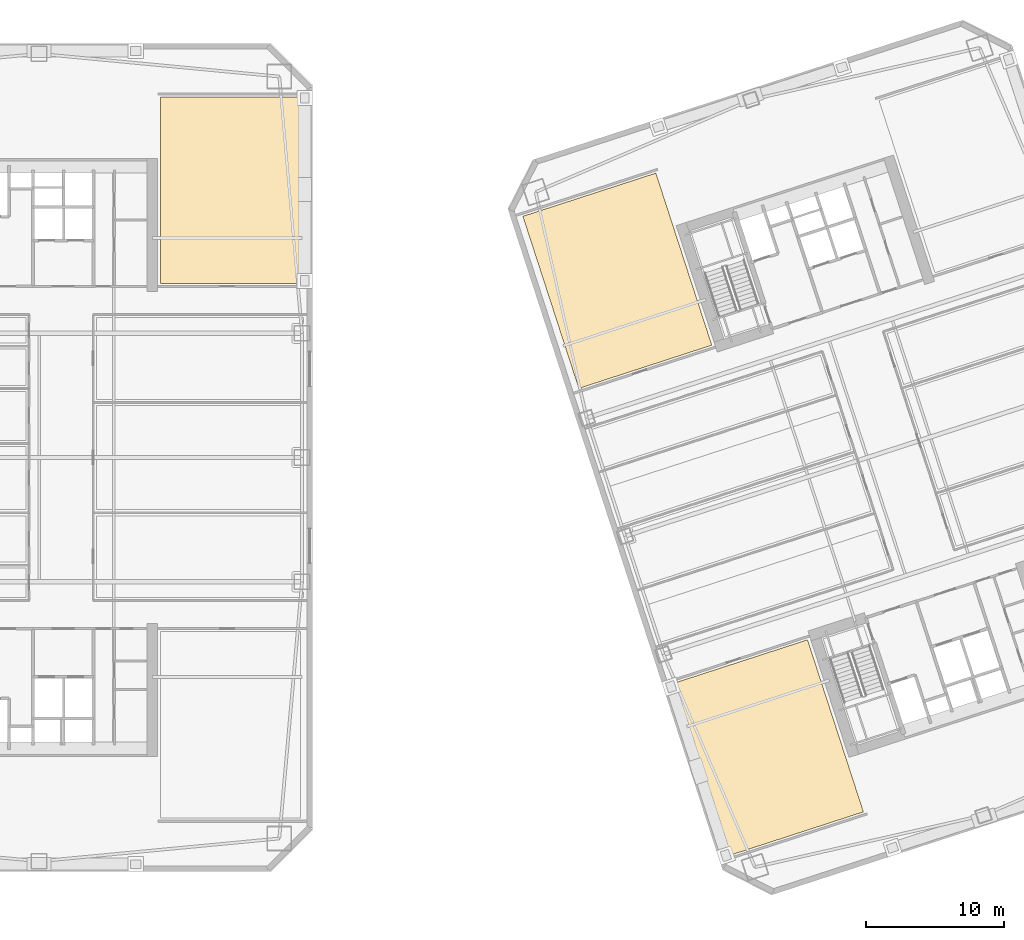
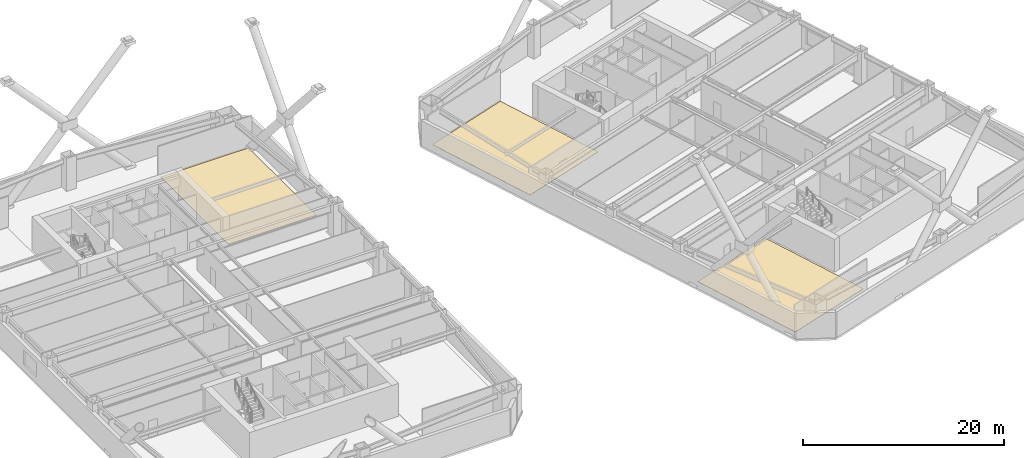
# One storey, part 14 of 18: 3 coverings.
"""IFC4 building model written with IfcOpenShell, lengths in metres."""

from ifc_helpers import new_model, si_unit, direction, frame, origin, place, context, subcontext, project, spatial, polyline, outline, extrude, material, layer, layer_set, type_object, element, save


model = new_model("IFC4")

# Units and contexts
model_context = context("Model", 3, precision=1e-05, world=origin(), true_north=direction((0.0, 1.0)))
body_context = subcontext(model_context, "Body", "Model", "MODEL_VIEW")
ifc_project = project(units=[si_unit("LENGTHUNIT", "METRE"), si_unit("AREAUNIT", "SQUARE_METRE"), si_unit("VOLUMEUNIT", "CUBIC_METRE"), si_unit("PLANEANGLEUNIT", "RADIAN"), si_unit("MASSUNIT", "GRAM", prefix="KILO")], contexts=[model_context])

# Site, building, storey
site_placement = place(None, origin())
site = spatial("IfcSite", under=ifc_project, at=site_placement, CompositionType="ELEMENT")
building_placement = place(site_placement, origin())
building = spatial("IfcBuilding", under=site, at=building_placement, Name="Qiaolan Cultural Towers", CompositionType="ELEMENT")
storey_placement = place(building_placement, frame((0.0, 0.0, 42.0)))
storey = spatial("IfcBuildingStorey", under=building, at=storey_placement, Name="L09", CompositionType="ELEMENT", Elevation=42.0)

# Coverings
ifc_material = material(Name="Honed Terrazzo & Raised Access Flooring", Category="concrete")
ifc_layer = layer(ifc_material, 0.0400390625)
ifc_layer_set = layer_set([ifc_layer], Name="Honed Terrazzo & Raised Access Flooring")
covering_type = type_object("IfcCoveringType", Name="COV-FLR-STONE", PredefinedType="FLOORING", material=ifc_layer_set)
covering_1_placement = place(storey_placement, origin())
element("IfcCovering", 1, at=covering_1_placement, inside=storey, type_object=covering_type, Name="L09 Corner Wellness Consultation Room Finish Flooring", PredefinedType="FLOORING", context=body_context, shape_type="SweptSolid", body=[
    extrude(outline(polyline([(48.929931640625, 46.6201171875), (48.929931640625, 60.1298828125), (38.800048828125, 60.1298828125), (38.800048828125, 46.6201171875), (48.929931640625, 46.6201171875)])), origin(), (0.0, 0.0, 1.0), 0.0400390625),
])
covering_2_placement = place(storey_placement, origin())
element("IfcCovering", 2, at=covering_2_placement, inside=storey, type_object=covering_type, Name="L09 Corner Project Briefing Room Finish Flooring", PredefinedType="FLOORING", context=body_context, shape_type="SweptSolid", body=[
    extrude(outline(polyline([(89.7197265625, 8.326904296875), (85.66845703125, 20.795166015625), (76.034423828125, 17.664794921875), (80.08544921875, 5.196533203125), (89.7197265625, 8.326904296875)])), origin(), (0.0, 0.0, 1.0), 0.0400390625),
])
covering_3_placement = place(storey_placement, origin())
element("IfcCovering", 3, at=covering_3_placement, inside=storey, type_object=covering_type, Name="L09 Corner Curatorial Research Office Finish Flooring", PredefinedType="FLOORING", context=body_context, shape_type="SweptSolid", body=[
    extrude(outline(polyline([(78.734130859375, 42.136962890625), (74.682861328125, 54.605224609375), (65.048828125, 51.474853515625), (69.099853515625, 39.006591796875), (78.734130859375, 42.136962890625)])), origin(), (0.0, 0.0, 1.0), 0.0400390625),
])

save(model, "model.ifc")
